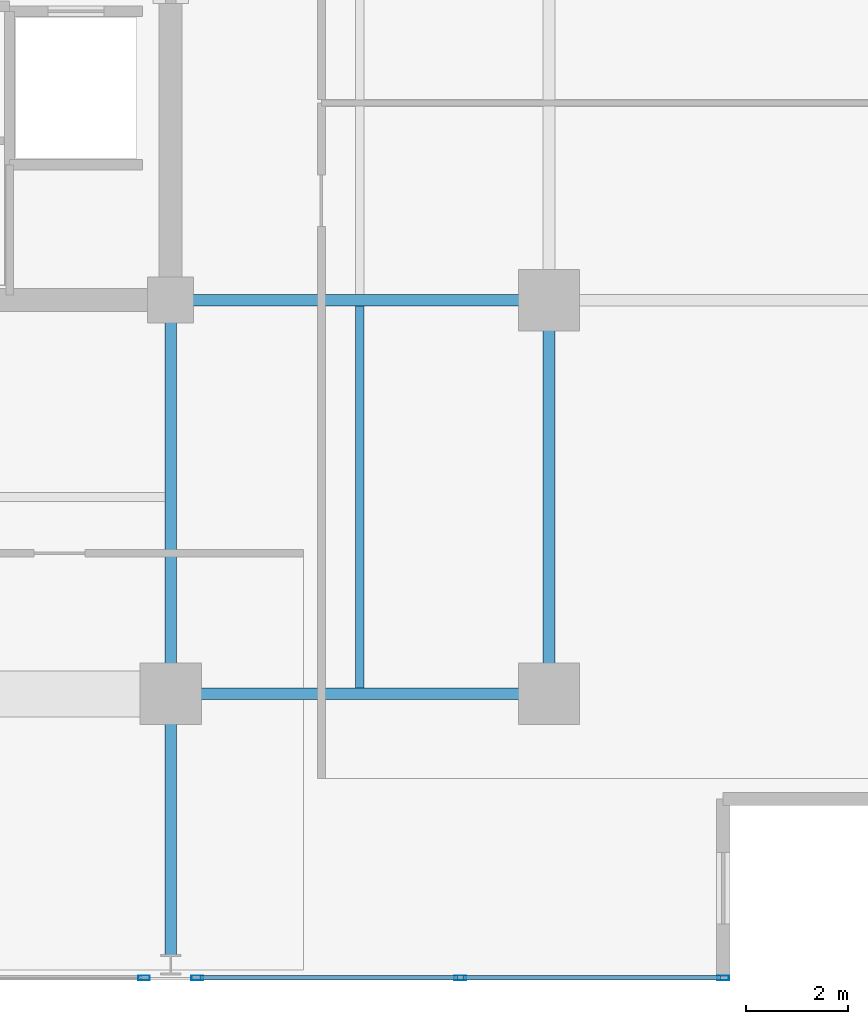
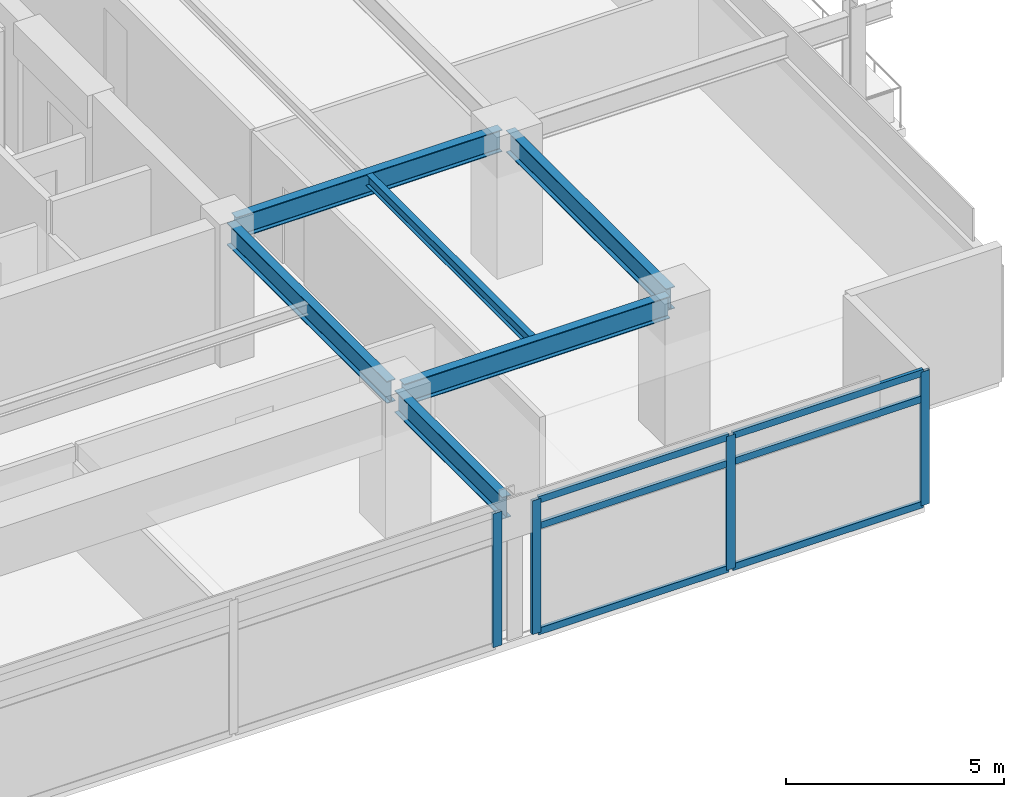
# One storey, part 5 of 20: 10 members, 6 beams, 2 elements without a shape of their own.
"""IFC4 building model written with IfcOpenShell, lengths in metres."""

from ifc_helpers import new_model, si_unit, direction, frame, origin, origin_2d, place, context, subcontext, project, spatial, hollow_rectangle, i_section, extrude, material, material_profile, profile_set, type_object, element, aggregate, save


model = new_model("IFC4")

# Units and contexts
model_context = context("Model", 3, precision=1e-05, world=origin(), true_north=direction((0.0, 1.0)))
body_context = subcontext(model_context, "Body", "Model", "MODEL_VIEW")
ifc_project = project(units=[si_unit("LENGTHUNIT", "METRE"), si_unit("AREAUNIT", "SQUARE_METRE"), si_unit("VOLUMEUNIT", "CUBIC_METRE"), si_unit("PLANEANGLEUNIT", "RADIAN"), si_unit("MASSUNIT", "GRAM", prefix="KILO")], contexts=[model_context])

# Site, building, storey
site_placement = place(None, origin())
site = spatial("IfcSite", under=ifc_project, at=site_placement, CompositionType="ELEMENT")
building_placement = place(site_placement, origin())
building = spatial("IfcBuilding", under=site, at=building_placement, Name="Kovane Verandah Tower", CompositionType="ELEMENT")
storey_placement = place(building_placement, frame((0.0, 0.0, 279.199951171875)))
storey = spatial("IfcBuildingStorey", under=building, at=storey_placement, Name="L65", CompositionType="ELEMENT", Elevation=279.199951171875)

# Beams
ifc_material_1 = material(Name="Steel S355", Category="steel")
ifc_material_profile_1 = material_profile(ifc_material_1, i_section(OverallWidth=0.230224609375, OverallDepth=0.6171875, WebThickness=0.01318359375, FlangeThickness=0.022216796875, FilletRadius=0.0126953125, at=origin_2d()), Name="UB610x229x140")
ifc_profile_set_1 = profile_set([ifc_material_profile_1], Name="Steel S355")
beam_type_1 = type_object("IfcBeamType", Name="BM-UB610x140", PredefinedType="BEAM", material=ifc_profile_set_1)
beam_1_placement = place(storey_placement, frame((51.179931640625, 10.800048828125, 3.4765625), z_axis=(1.0, 0.0, 0.0), x_axis=(0.0, 1.0, 0.0)))
element("IfcBeam", 1, at=beam_1_placement, inside=storey, type_object=beam_type_1, Name="L65 Primary Tower Girder G-RS3", PredefinedType="BEAM", context=body_context, shape_type="SweptSolid", body=[
    extrude(i_section(OverallWidth=0.230224609375, OverallDepth=0.6171875, WebThickness=0.01318359375, FlangeThickness=0.022216796875, FilletRadius=0.0126953125, at=origin_2d()), origin(), (0.0, 0.0, 1.0), 7.0400390625),
])
beam_2_placement = place(storey_placement, frame((58.39990234375, 10.97998046875, 3.4765625), z_axis=(0.0, 1.0, 0.0), x_axis=(-1.0, 0.0, 0.0)))
element("IfcBeam", 2, at=beam_2_placement, inside=storey, type_object=beam_type_1, Name="L65 Primary Tower Girder G-RE1", PredefinedType="BEAM", context=body_context, shape_type="SweptSolid", body=[
    extrude(i_section(OverallWidth=0.230224609375, OverallDepth=0.6171875, WebThickness=0.01318359375, FlangeThickness=0.022216796875, FilletRadius=0.0126953125, at=origin_2d()), origin(), (0.0, 0.0, 1.0), 7.340087890625),
])
beam_3_placement = place(storey_placement, frame((51.179931640625, 18.5, 3.4765625), z_axis=(1.0, 0.0, 0.0), x_axis=(0.0, 1.0, 0.0)))
element("IfcBeam", 3, at=beam_3_placement, inside=storey, type_object=beam_type_1, Name="L65 Primary Tower Girder G-E1", PredefinedType="BEAM", context=body_context, shape_type="SweptSolid", body=[
    extrude(i_section(OverallWidth=0.230224609375, OverallDepth=0.6171875, WebThickness=0.01318359375, FlangeThickness=0.022216796875, FilletRadius=0.0126953125, at=origin_2d()), origin(), (0.0, 0.0, 1.0), 7.0400390625),
])
beam_4_placement = place(storey_placement, frame((51.0, 18.320068359375, 3.4765625), z_axis=(0.0, -1.0, 0.0), x_axis=(1.0, 0.0, 0.0)))
element("IfcBeam", 4, at=beam_4_placement, inside=storey, type_object=beam_type_1, Name="L65 Primary Tower Girder G-S2", PredefinedType="BEAM", context=body_context, shape_type="SweptSolid", body=[
    extrude(i_section(OverallWidth=0.230224609375, OverallDepth=0.6171875, WebThickness=0.01318359375, FlangeThickness=0.022216796875, FilletRadius=0.0126953125, at=origin_2d()), origin(), (0.0, 0.0, 1.0), 7.340087890625),
])
beam_5_placement = place(storey_placement, frame((51.0, 10.6201171875, 3.451416015625), z_axis=(0.0, -1.0, 0.0), x_axis=(1.0, 0.0, 0.0)))
element("IfcBeam", 5, at=beam_5_placement, inside=storey, type_object=beam_type_1, Name="L65 Primary Tower Girder G-VS2", PredefinedType="BEAM", context=body_context, shape_type="SweptSolid", body=[
    extrude(i_section(OverallWidth=0.230224609375, OverallDepth=0.6171875, WebThickness=0.01318359375, FlangeThickness=0.022216796875, FilletRadius=0.0126953125, at=origin_2d()), origin(), (0.0, 0.0, 1.0), 4.940185546875),
])

# Curtain wall, member
ifc_material_2 = material(Name="Champagne Anodised Aluminium Frame with Low-E Clear Laminated Glass", Category="aluminium")
curtain_wall_type = type_object("IfcCurtainWallType", Name="CW-SYS-05-HIGH", PredefinedType="NOTDEFINED", material=ifc_material_2)
curtain_wall_1_placement = place(storey_placement, origin())
curtain_wall_1 = element("IfcCurtainWall", 6, at=curtain_wall_1_placement, inside=storey, type_object=curtain_wall_type, Name="L65 S Unitised Curtain Wall-2", PredefinedType="NOTDEFINED")
ifc_material_3 = material(Name="Champagne Anodised Aluminium 6063-T6", Category="aluminium")
ifc_material_profile_2 = material_profile(ifc_material_3, hollow_rectangle(XDim=0.0849609375, YDim=0.22998046875, WallThickness=0.00390625, at=origin_2d()), Name="AL85x230x4")
ifc_profile_set_2 = profile_set([ifc_material_profile_2], Name="Champagne Anodised Aluminium 6063-T6")
member_type_1 = type_object("IfcMemberType", Name="CW-MUL-85x230", PredefinedType="MULLION", material=ifc_profile_set_2)
member_1_placement = place(storey_placement, frame((50.47998046875, 5.24365234375, 0.02001953125), z_axis=(0.0, 0.0, 1.0), x_axis=(0.0, -1.0, 0.0)))
member_1 = element("IfcMember", 7, at=member_1_placement, type_object=member_type_1, Name="L65 S Unitised Curtain Wall-2 Mullion 4", PredefinedType="MULLION", context=body_context, shape_type="SweptSolid", body=[
    extrude(hollow_rectangle(XDim=0.0849609375, YDim=0.22998046875, WallThickness=0.00390625, at=origin_2d()), origin(), (0.0, 0.0, 1.0), 3.7451171875),
])
aggregate(curtain_wall_1, [member_1])

# Curtain wall, members
curtain_wall_2_placement = place(storey_placement, origin())
curtain_wall_2 = element("IfcCurtainWall", 8, at=curtain_wall_2_placement, inside=storey, type_object=curtain_wall_type, Name="L65 S Unitised Curtain Wall-3", PredefinedType="NOTDEFINED")
member_2_placement = place(storey_placement, frame((51.52001953125, 5.24365234375, 0.02001953125), z_axis=(0.0, 0.0, 1.0), x_axis=(0.0, -1.0, 0.0)))
member_2 = element("IfcMember", 9, at=member_2_placement, type_object=member_type_1, Name="L65 S Unitised Curtain Wall-3 Mullion 1", PredefinedType="MULLION", context=body_context, shape_type="SweptSolid", body=[
    extrude(hollow_rectangle(XDim=0.0849609375, YDim=0.22998046875, WallThickness=0.00390625, at=origin_2d()), origin(), (0.0, 0.0, 1.0), 3.7451171875),
])
member_3_placement = place(storey_placement, frame((56.664794921875, 5.24365234375, 0.02001953125), z_axis=(0.0, 0.0, 1.0), x_axis=(0.0, -1.0, 0.0)))
member_3 = element("IfcMember", 10, at=member_3_placement, type_object=member_type_1, Name="L65 S Unitised Curtain Wall-3 Mullion 2", PredefinedType="MULLION", context=body_context, shape_type="SweptSolid", body=[
    extrude(hollow_rectangle(XDim=0.0849609375, YDim=0.22998046875, WallThickness=0.00390625, at=origin_2d()), origin(), (0.0, 0.0, 1.0), 3.7451171875),
])
member_4_placement = place(storey_placement, frame((61.809814453125, 5.24365234375, 0.02001953125), z_axis=(0.0, 0.0, 1.0), x_axis=(0.0, -1.0, 0.0)))
member_4 = element("IfcMember", 11, at=member_4_placement, type_object=member_type_1, Name="L65 S Unitised Curtain Wall-3 Mullion 3", PredefinedType="MULLION", context=body_context, shape_type="SweptSolid", body=[
    extrude(hollow_rectangle(XDim=0.0849609375, YDim=0.22998046875, WallThickness=0.00390625, at=origin_2d()), origin(), (0.0, 0.0, 1.0), 3.7451171875),
])
ifc_material_profile_3 = material_profile(ifc_material_3, hollow_rectangle(XDim=0.0849609375, YDim=0.18994140625, WallThickness=0.00390625, at=origin_2d()), Name="AL85x190x4")
ifc_profile_set_3 = profile_set([ifc_material_profile_3], Name="Champagne Anodised Aluminium 6063-T6")
member_type_2 = type_object("IfcMemberType", Name="CW-TRN-85x190", PredefinedType="USERDEFINED", material=ifc_profile_set_3)
member_5_placement = place(storey_placement, frame((51.570068359375, 5.24365234375, 0.050048828125), z_axis=(1.0, 0.0, 0.0), x_axis=(0.0, 1.0, 0.0)))
member_5 = element("IfcMember", 12, at=member_5_placement, type_object=member_type_2, Name="L65 S Unitised Curtain Wall-3 Transom TB Bay 1", ObjectType="TRANSOM", PredefinedType="USERDEFINED", context=body_context, shape_type="SweptSolid", body=[
    extrude(hollow_rectangle(XDim=0.0849609375, YDim=0.18994140625, WallThickness=0.00390625, at=origin_2d()), origin(), (0.0, 0.0, 1.0), 5.044921875),
])
member_6_placement = place(storey_placement, frame((51.570068359375, 5.24365234375, 3.005126953125), z_axis=(1.0, 0.0, 0.0), x_axis=(0.0, 1.0, 0.0)))
member_6 = element("IfcMember", 13, at=member_6_placement, type_object=member_type_2, Name="L65 S Unitised Curtain Wall-3 Transom TM Bay 1", ObjectType="TRANSOM", PredefinedType="USERDEFINED", context=body_context, shape_type="SweptSolid", body=[
    extrude(hollow_rectangle(XDim=0.0849609375, YDim=0.18994140625, WallThickness=0.00390625, at=origin_2d()), origin(), (0.0, 0.0, 1.0), 5.044921875),
])
member_7_placement = place(storey_placement, frame((51.570068359375, 5.24365234375, 3.735107421875), z_axis=(1.0, 0.0, 0.0), x_axis=(0.0, 1.0, 0.0)))
member_7 = element("IfcMember", 14, at=member_7_placement, type_object=member_type_2, Name="L65 S Unitised Curtain Wall-3 Transom TT Bay 1", ObjectType="TRANSOM", PredefinedType="USERDEFINED", context=body_context, shape_type="SweptSolid", body=[
    extrude(hollow_rectangle(XDim=0.0849609375, YDim=0.18994140625, WallThickness=0.00390625, at=origin_2d()), origin(), (0.0, 0.0, 1.0), 5.044921875),
])
member_8_placement = place(storey_placement, frame((56.71484375, 5.24365234375, 0.050048828125), z_axis=(1.0, 0.0, 0.0), x_axis=(0.0, 1.0, 0.0)))
member_8 = element("IfcMember", 15, at=member_8_placement, type_object=member_type_2, Name="L65 S Unitised Curtain Wall-3 Transom TB Bay 2", ObjectType="TRANSOM", PredefinedType="USERDEFINED", context=body_context, shape_type="SweptSolid", body=[
    extrude(hollow_rectangle(XDim=0.0849609375, YDim=0.18994140625, WallThickness=0.00390625, at=origin_2d()), origin(), (0.0, 0.0, 1.0), 5.044921875),
])
member_9_placement = place(storey_placement, frame((56.71484375, 5.24365234375, 3.005126953125), z_axis=(1.0, 0.0, 0.0), x_axis=(0.0, 1.0, 0.0)))
member_9 = element("IfcMember", 16, at=member_9_placement, type_object=member_type_2, Name="L65 S Unitised Curtain Wall-3 Transom TM Bay 2", ObjectType="TRANSOM", PredefinedType="USERDEFINED", context=body_context, shape_type="SweptSolid", body=[
    extrude(hollow_rectangle(XDim=0.0849609375, YDim=0.18994140625, WallThickness=0.00390625, at=origin_2d()), origin(), (0.0, 0.0, 1.0), 5.044921875),
])
member_10_placement = place(storey_placement, frame((56.71484375, 5.24365234375, 3.735107421875), z_axis=(1.0, 0.0, 0.0), x_axis=(0.0, 1.0, 0.0)))
member_10 = element("IfcMember", 17, at=member_10_placement, type_object=member_type_2, Name="L65 S Unitised Curtain Wall-3 Transom TT Bay 2", ObjectType="TRANSOM", PredefinedType="USERDEFINED", context=body_context, shape_type="SweptSolid", body=[
    extrude(hollow_rectangle(XDim=0.0849609375, YDim=0.18994140625, WallThickness=0.00390625, at=origin_2d()), origin(), (0.0, 0.0, 1.0), 5.044921875),
])
aggregate(curtain_wall_2, [member_2, member_3, member_4, member_5, member_6, member_7, member_8, member_9, member_10])

# Beam
ifc_material_profile_4 = material_profile(ifc_material_1, i_section(OverallWidth=0.1669921875, OverallDepth=0.310302734375, WebThickness=0.0078125, FlangeThickness=0.013671875, FilletRadius=0.0087890625, at=origin_2d()), Name="UB305x165x54")
ifc_profile_set_4 = profile_set([ifc_material_profile_4], Name="Steel S355")
beam_type_2 = type_object("IfcBeamType", Name="JST-UB305x54", PredefinedType="JOIST", material=ifc_profile_set_4)
beam_6_placement = place(storey_placement, frame((54.699951171875, 10.9130859375, 3.6298828125), z_axis=(0.0, 1.0, 0.0), x_axis=(-1.0, 0.0, 0.0)))
element("IfcBeam", 18, at=beam_6_placement, inside=storey, type_object=beam_type_2, Name="L65 Secondary Composite Joist J-SE1", PredefinedType="JOIST", context=body_context, shape_type="SweptSolid", body=[
    extrude(i_section(OverallWidth=0.1669921875, OverallDepth=0.310302734375, WebThickness=0.0078125, FlangeThickness=0.013671875, FilletRadius=0.0087890625, at=origin_2d()), origin(), (0.0, 0.0, 1.0), 7.473876953125),
])

save(model, "model.ifc")
